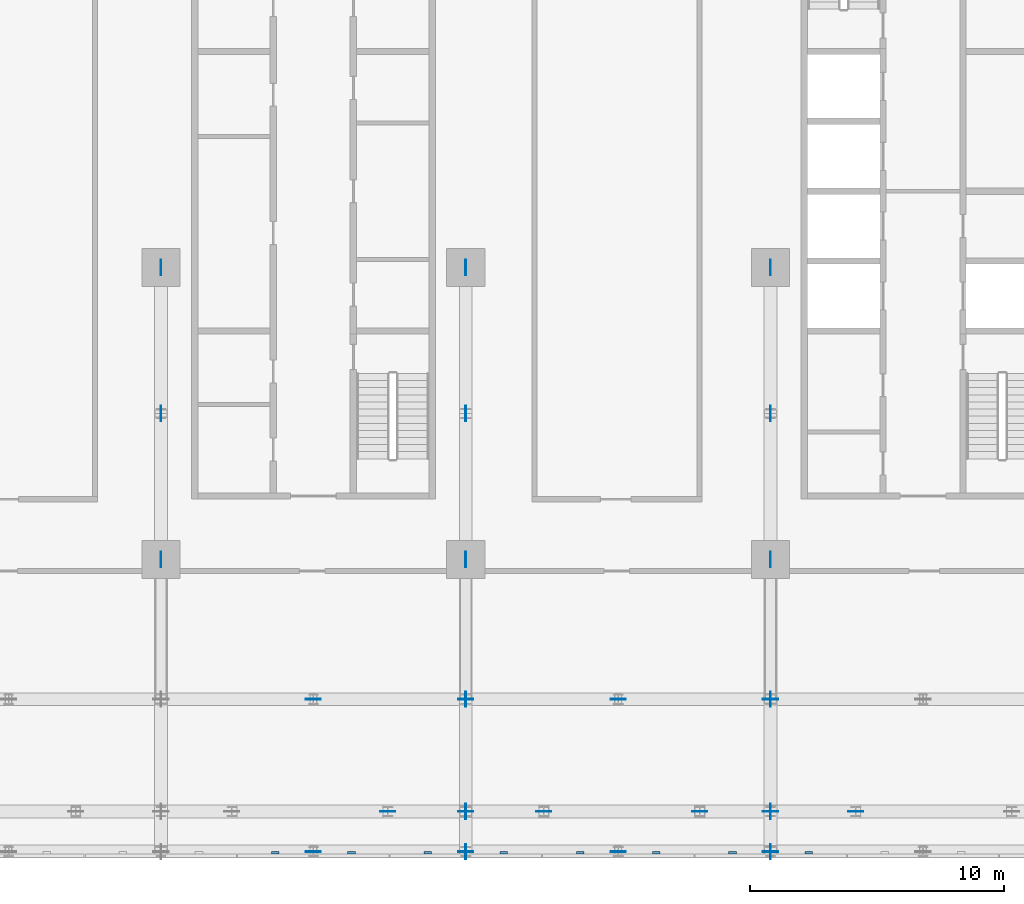
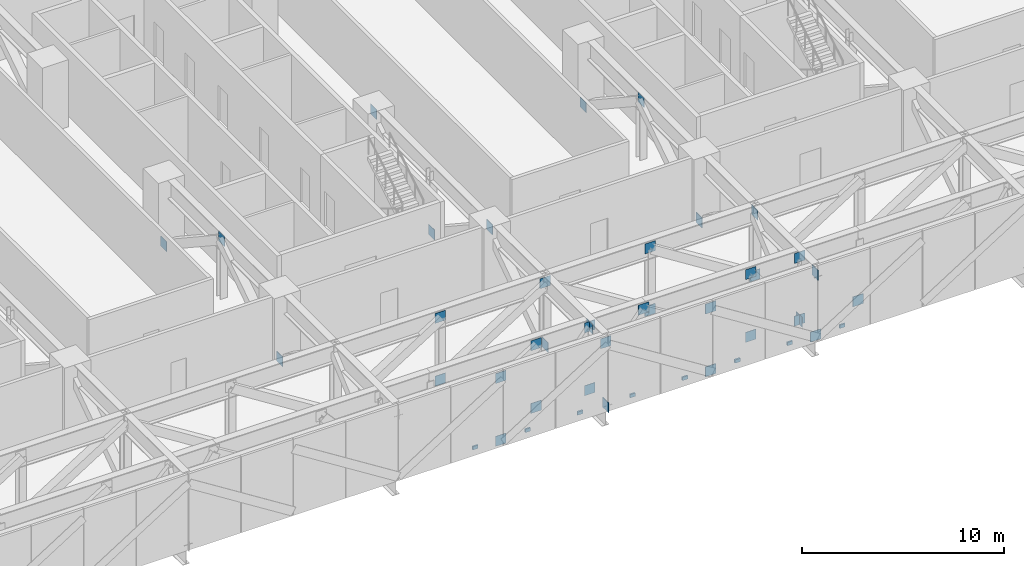
# One storey, part 16 of 26: 45 discrete accessories.
"""IFC4 building model written with IfcOpenShell, lengths in metres."""

from ifc_helpers import new_model, si_unit, direction, frame, origin, origin_2d, place, context, subcontext, project, spatial, rectangle, extrude, material, layer, layer_set, type_object, element, save


model = new_model("IFC4")

# Units and contexts
model_context = context("Model", 3, precision=1e-05, world=origin(), true_north=direction((0.0, 1.0)))
body_context = subcontext(model_context, "Body", "Model", "MODEL_VIEW")
ifc_project = project(units=[si_unit("LENGTHUNIT", "METRE"), si_unit("AREAUNIT", "SQUARE_METRE"), si_unit("VOLUMEUNIT", "CUBIC_METRE"), si_unit("PLANEANGLEUNIT", "RADIAN"), si_unit("MASSUNIT", "GRAM", prefix="KILO")], contexts=[model_context])

# Site, building, storey
site_placement = place(None, origin())
site = spatial("IfcSite", under=ifc_project, at=site_placement, CompositionType="ELEMENT")
building_placement = place(site_placement, origin())
building = spatial("IfcBuilding", under=site, at=building_placement, Name="Mahtab Terrace Research Tower", CompositionType="ELEMENT")
storey_placement = place(building_placement, frame((0.0, 0.0, 80.39990234375)))
storey = spatial("IfcBuildingStorey", under=building, at=storey_placement, Name="L18", CompositionType="ELEMENT", Elevation=80.39990234375)

# Discrete accessories
ifc_material_1 = material(Name="Black anodised aluminium", Category="aluminium")
discrete_accessory_type_1 = type_object("IfcDiscreteAccessoryType", Name="Facade bracket", PredefinedType="BRACKET", material=ifc_material_1)
for number, where, z_axis, x_axis, name in (
    (1, (-1.5, -23.044921875, -0.2998046875), (0.0, 0.0, 1.0), (1.0, 0.0, 0.0), "Louvre bracket L18 66"),
    (2, (1.5, -23.044921875, -0.2998046875), (0.0, 0.0, 1.0), (1.0, 0.0, 0.0), "Louvre bracket L18 67"),
    (3, (4.5, -23.044921875, -0.2998046875), (0.0, 0.0, 1.0), (1.0, 0.0, 0.0), "Louvre bracket L18 68"),
    (4, (7.5, -23.044921875, -0.2998046875), (0.0, 0.0, 1.0), (1.0, 0.0, 0.0), "Louvre bracket L18 69"),
    (5, (10.5, -23.044921875, -0.2998046875), (0.0, 0.0, 1.0), (1.0, 0.0, 0.0), "Louvre bracket L18 70"),
    (6, (13.5, -23.044921875, -0.2998046875), (0.0, 0.0, 1.0), (1.0, 0.0, 0.0), "Louvre bracket L18 71"),
    (7, (16.5, -23.044921875, -0.2998046875), (0.0, 0.0, 1.0), (1.0, 0.0, 0.0), "Louvre bracket L18 72"),
    (8, (19.5, -23.044921875, -0.2998046875), (0.0, 0.0, 1.0), (1.0, 0.0, 0.0), "Louvre bracket L18 73"),
):
    element("IfcDiscreteAccessory", number, at=place(storey_placement, frame(where, z_axis=z_axis, x_axis=x_axis)), inside=storey, type_object=discrete_accessory_type_1, Name=name, PredefinedType="BRACKET", context=body_context, shape_type="SweptSolid", body=[
        extrude(rectangle(XDim=0.300048828125, YDim=0.090087890625, at=origin_2d()), origin(), (0.0, 0.0, 1.0), 0.199951171875),
    ])
ifc_material_2 = material(Name="Steel ASTM A992 Gr 50", Category="steel")
ifc_layer = layer(ifc_material_2, 0.030029296875)
ifc_layer_set = layer_set([ifc_layer], Name="Gusset plate 600x600x30")
discrete_accessory_type_2 = type_object("IfcDiscreteAccessoryType", Name="Gusset plate 600x600x30", PredefinedType="USERDEFINED", material=ifc_layer_set)
for number, where, z_axis, x_axis, name in (
    (9, (0.0, -23.0, -0.593505859375), (0.0, 0.0, 1.0), (1.0, 0.0, 0.0), "Gusset plate"),
    (10, (0.0, -23.0, 3.201171875), (0.0, 0.0, 1.0), (1.0, 0.0, 0.0), "Gusset plate"),
    (11, (0.0, -17.0, -0.593505859375), (0.0, 0.0, 1.0), (1.0, 0.0, 0.0), "Gusset plate"),
    (12, (0.0, -17.0, 3.201171875), (0.0, 0.0, 1.0), (1.0, 0.0, 0.0), "Gusset plate"),
    (13, (2.928955078125, -21.416015625, -0.593505859375), (0.0, 0.0, 1.0), (1.0, 0.0, 0.0), "Gusset plate"),
    (14, (2.928955078125, -21.416015625, 3.201171875), (0.0, 0.0, 1.0), (1.0, 0.0, 0.0), "Gusset plate"),
    (15, (6.0, -23.0, 3.201171875), (0.0, 0.0, 1.0), (1.0, 0.0, 0.0), "Gusset plate"),
    (16, (6.0, -21.416015625, -0.593505859375), (0.0, 0.0, 1.0), (1.0, 0.0, 0.0), "Gusset plate"),
    (17, (6.0, -21.416015625, 3.201171875), (0.0, 0.0, 1.0), (1.0, 0.0, 0.0), "Gusset plate"),
    (18, (6.0, -17.0, 3.201171875), (0.0, 0.0, 1.0), (1.0, 0.0, 0.0), "Gusset plate"),
    (19, (9.071044921875, -21.416015625, 3.201171875), (0.0, 0.0, 1.0), (1.0, 0.0, 0.0), "Gusset plate"),
    (20, (12.0, -23.0, -0.593505859375), (0.0, 0.0, 1.0), (1.0, 0.0, 0.0), "Gusset plate"),
    (21, (12.0, -23.0, 3.201171875), (0.0, 0.0, 1.0), (1.0, 0.0, 0.0), "Gusset plate"),
    (22, (12.0, -17.0, -0.593505859375), (0.0, 0.0, 1.0), (1.0, 0.0, 0.0), "Gusset plate"),
    (23, (12.0, -17.0, 3.201171875), (0.0, 0.0, 1.0), (1.0, 0.0, 0.0), "Gusset plate"),
    (24, (15.2119140625, -21.416015625, -0.593505859375), (0.0, 0.0, 1.0), (1.0, 0.0, 0.0), "Gusset plate"),
    (25, (15.2119140625, -21.416015625, 3.201171875), (0.0, 0.0, 1.0), (1.0, 0.0, 0.0), "Gusset plate"),
    (26, (18.0, -23.0, -0.593505859375), (0.0, 0.0, 1.0), (1.0, 0.0, 0.0), "Gusset plate"),
    (27, (18.0, -21.416015625, -0.593505859375), (0.0, 0.0, 1.0), (1.0, 0.0, 0.0), "Gusset plate"),
    (28, (18.0, -21.416015625, 3.201171875), (0.0, 0.0, 1.0), (1.0, 0.0, 0.0), "Gusset plate"),
    (29, (18.0, -17.0, -0.593505859375), (0.0, 0.0, 1.0), (1.0, 0.0, 0.0), "Gusset plate"),
    (30, (21.35400390625, -21.416015625, -0.593505859375), (0.0, 0.0, 1.0), (1.0, 0.0, 0.0), "Gusset plate"),
    (31, (-6.0, -11.5, -0.593505859375), (0.0, 0.0, 1.0), (0.0, 1.0, 0.0), "Gusset plate"),
    (32, (-6.0, -5.75, 3.201171875), (0.0, 0.0, 1.0), (0.0, 1.0, 0.0), "Gusset plate"),
    (33, (-6.0, 0.0, -0.593505859375), (0.0, 0.0, 1.0), (0.0, 1.0, 0.0), "Gusset plate"),
    (34, (6.0, -23.0, -0.593505859375), (0.0, 0.0, 1.0), (0.0, 1.0, 0.0), "Gusset plate"),
    (35, (6.0, -21.416015625, 3.201171875), (0.0, 0.0, 1.0), (0.0, 1.0, 0.0), "Gusset plate"),
    (36, (6.0, -17.0, -0.593505859375), (0.0, 0.0, 1.0), (0.0, 1.0, 0.0), "Gusset plate"),
    (37, (6.0, -11.5, 3.201171875), (0.0, 0.0, 1.0), (0.0, 1.0, 0.0), "Gusset plate"),
    (38, (6.0, -5.75, -0.593505859375), (0.0, 0.0, 1.0), (0.0, 1.0, 0.0), "Gusset plate"),
    (39, (6.0, 0.0, 3.201171875), (0.0, 0.0, 1.0), (0.0, 1.0, 0.0), "Gusset plate"),
    (40, (18.0, -23.0, 3.201171875), (0.0, 0.0, 1.0), (0.0, 1.0, 0.0), "Gusset plate"),
    (41, (18.0, -21.416015625, -0.593505859375), (0.0, 0.0, 1.0), (0.0, 1.0, 0.0), "Gusset plate"),
    (42, (18.0, -17.0, 3.201171875), (0.0, 0.0, 1.0), (0.0, 1.0, 0.0), "Gusset plate"),
    (43, (18.0, -11.5, -0.593505859375), (0.0, 0.0, 1.0), (0.0, 1.0, 0.0), "Gusset plate"),
    (44, (18.0, -5.75, 3.201171875), (0.0, 0.0, 1.0), (0.0, 1.0, 0.0), "Gusset plate"),
    (45, (18.0, 0.0, -0.593505859375), (0.0, 0.0, 1.0), (0.0, 1.0, 0.0), "Gusset plate"),
):
    element("IfcDiscreteAccessory", number, at=place(storey_placement, frame(where, z_axis=z_axis, x_axis=x_axis)), inside=storey, type_object=discrete_accessory_type_2, Name=name, ObjectType="GUSSET PLATE", PredefinedType="USERDEFINED", context=body_context, shape_type="SweptSolid", body=[
        extrude(rectangle(XDim=0.60009765625, YDim=0.030029296875, at=origin_2d()), origin(), (0.0, 0.0, 1.0), 0.60009765625),
    ])

save(model, "model.ifc")
